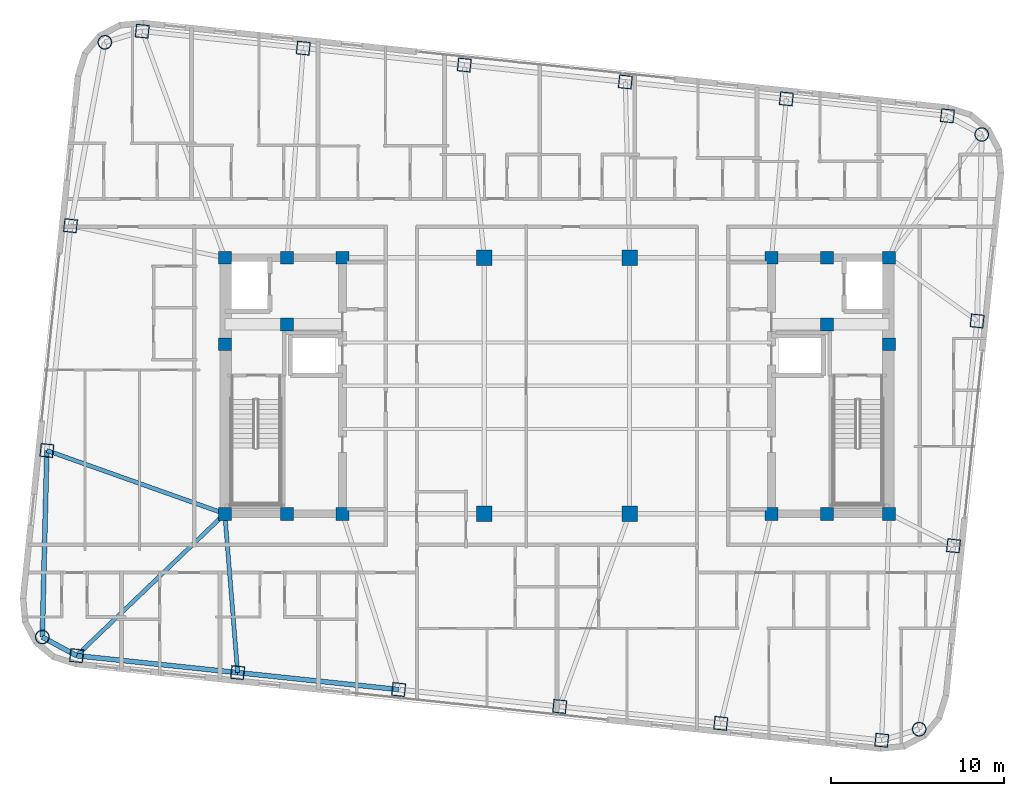
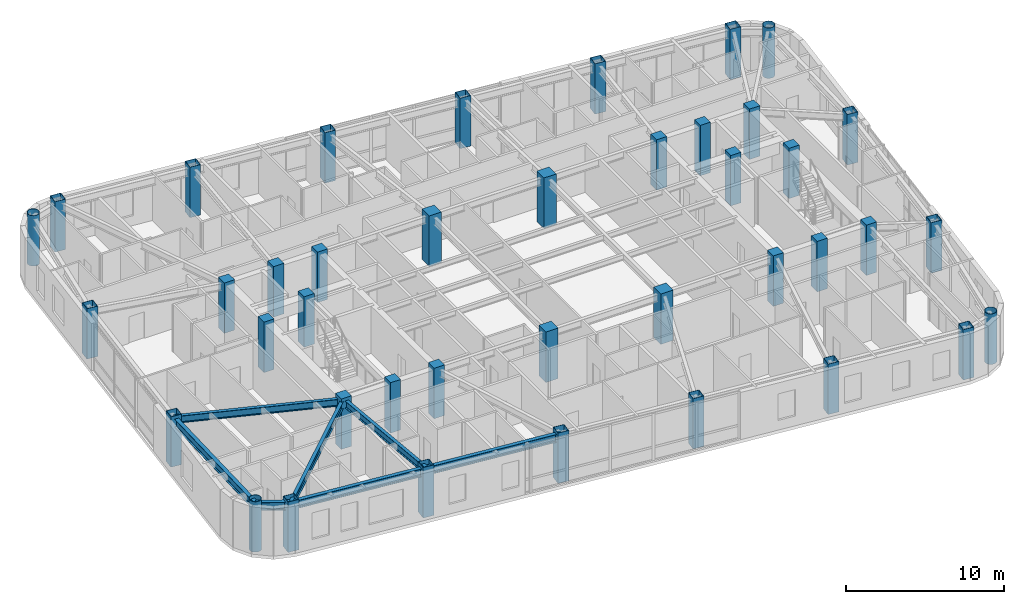
# One storey, part 1 of 23: 40 columns, 7 beams.
"""IFC4 building model written with IfcOpenShell, lengths in metres."""

from ifc_helpers import new_model, si_unit, direction, frame, origin, origin_2d, place, context, subcontext, project, spatial, rectangle, hollow_rectangle, hollow_circle, i_section, extrude, material, material_profile, profile_set, type_object, element, save


model = new_model("IFC4")

# Units and contexts
model_context = context("Model", 3, precision=1e-05, world=origin(), true_north=direction((0.0, 1.0)))
body_context = subcontext(model_context, "Body", "Model", "MODEL_VIEW")
ifc_project = project(units=[si_unit("LENGTHUNIT", "METRE"), si_unit("AREAUNIT", "SQUARE_METRE"), si_unit("VOLUMEUNIT", "CUBIC_METRE"), si_unit("PLANEANGLEUNIT", "RADIAN"), si_unit("MASSUNIT", "GRAM", prefix="KILO")], contexts=[model_context])

# Site, building, storey
site_placement = place(None, origin())
site = spatial("IfcSite", under=ifc_project, at=site_placement, CompositionType="ELEMENT")
building_placement = place(site_placement, origin())
building = spatial("IfcBuilding", under=site, at=building_placement, Name="Voryun Gate Residences", CompositionType="ELEMENT")
storey_placement = place(building_placement, frame((0.0, 0.0, 275.60009765625)))
storey = spatial("IfcBuildingStorey", under=building, at=storey_placement, Name="L68", CompositionType="ELEMENT", Elevation=275.60009765625)

# Columns
ifc_material_1 = material(Name="Concrete C50/60", Category="concrete")
ifc_material_profile_1 = material_profile(ifc_material_1, rectangle(XDim=0.75, YDim=0.75, at=origin_2d()), Name="RC-750x750")
ifc_profile_set_1 = profile_set([ifc_material_profile_1], Name="Concrete C50/60")
column_type_1 = type_object("IfcColumnType", Name="COL_CORE_750", PredefinedType="COLUMN", material=ifc_profile_set_1)
for number, where, z_axis, x_axis, name in (
    (1, (-19.199951171875, -7.39990234375, 0.0), (0.0, 0.0, 1.0), (1.0, 0.0, 0.0), "L68 Core boundary column WC-SW"),
    (2, (-19.199951171875, 2.39990234375, 0.0), (0.0, 0.0, 1.0), (1.0, 0.0, 0.0), "L68 Core boundary column WC-MW"),
    (3, (-19.199951171875, 7.39990234375, 0.0), (0.0, 0.0, 1.0), (1.0, 0.0, 0.0), "L68 Core boundary column WC-NW"),
    (4, (-15.60009765625, -7.39990234375, 0.0), (0.0, 0.0, 1.0), (1.0, 0.0, 0.0), "L68 Core boundary column WC-SM"),
    (5, (-15.60009765625, 7.39990234375, 0.0), (0.0, 0.0, 1.0), (1.0, 0.0, 0.0), "L68 Core boundary column WC-NM"),
    (6, (-12.39990234375, -7.39990234375, 0.0), (0.0, 0.0, 1.0), (1.0, 0.0, 0.0), "L68 Core boundary column WC-SE"),
    (7, (-15.60009765625, 3.550048828125, 0.0), (0.0, 0.0, 1.0), (1.0, 0.0, 0.0), "L68 Core boundary column WC-MM"),
    (8, (-12.39990234375, 7.39990234375, 0.0), (0.0, 0.0, 1.0), (1.0, 0.0, 0.0), "L68 Core boundary column WC-NE"),
    (9, (12.39990234375, -7.39990234375, 0.0), (0.0, 0.0, 1.0), (1.0, 0.0, 0.0), "L68 Core boundary column EC-SW"),
    (10, (15.60009765625, 3.550048828125, 0.0), (0.0, 0.0, 1.0), (1.0, 0.0, 0.0), "L68 Core boundary column EC-MM"),
    (11, (12.39990234375, 7.39990234375, 0.0), (0.0, 0.0, 1.0), (1.0, 0.0, 0.0), "L68 Core boundary column EC-NW"),
    (12, (15.60009765625, -7.39990234375, 0.0), (0.0, 0.0, 1.0), (1.0, 0.0, 0.0), "L68 Core boundary column EC-SM"),
    (13, (15.60009765625, 7.39990234375, 0.0), (0.0, 0.0, 1.0), (1.0, 0.0, 0.0), "L68 Core boundary column EC-NM"),
    (14, (19.199951171875, -7.39990234375, 0.0), (0.0, 0.0, 1.0), (1.0, 0.0, 0.0), "L68 Core boundary column EC-SE"),
    (15, (19.199951171875, 2.39990234375, 0.0), (0.0, 0.0, 1.0), (1.0, 0.0, 0.0), "L68 Core boundary column EC-ME"),
    (16, (19.199951171875, 7.39990234375, 0.0), (0.0, 0.0, 1.0), (1.0, 0.0, 0.0), "L68 Core boundary column EC-NE"),
):
    element("IfcColumn", number, at=place(storey_placement, frame(where, z_axis=z_axis, x_axis=x_axis)), inside=storey, type_object=column_type_1, Name=name, PredefinedType="COLUMN", context=body_context, shape_type="SweptSolid", body=[
        extrude(rectangle(XDim=0.75, YDim=0.75, at=origin_2d()), origin(), (0.0, 0.0, 1.0), 3.89990234375),
    ])
ifc_material_2 = material(Name="Concrete C50/60", Category="concrete")
ifc_material_profile_2 = material_profile(ifc_material_2, rectangle(XDim=0.89990234375, YDim=0.89990234375, at=origin_2d()), Name="RC-900x900")
ifc_profile_set_2 = profile_set([ifc_material_profile_2], Name="Concrete C50/60")
column_type_2 = type_object("IfcColumnType", Name="COL_CORE_900", PredefinedType="COLUMN", material=ifc_profile_set_2)
for number, where, z_axis, x_axis, name in (
    (17, (-4.199951171875, -7.39990234375, 0.0), (0.0, 0.0, 1.0), (1.0, 0.0, 0.0), "L68 Interior spine column SP-WS"),
    (18, (-4.199951171875, 7.39990234375, 0.0), (0.0, 0.0, 1.0), (1.0, 0.0, 0.0), "L68 Interior spine column SP-WN"),
    (19, (4.199951171875, -7.39990234375, 0.0), (0.0, 0.0, 1.0), (1.0, 0.0, 0.0), "L68 Interior spine column SP-ES"),
    (20, (4.199951171875, 7.39990234375, 0.0), (0.0, 0.0, 1.0), (1.0, 0.0, 0.0), "L68 Interior spine column SP-EN"),
):
    element("IfcColumn", number, at=place(storey_placement, frame(where, z_axis=z_axis, x_axis=x_axis)), inside=storey, type_object=column_type_2, Name=name, PredefinedType="COLUMN", context=body_context, shape_type="SweptSolid", body=[
        extrude(rectangle(XDim=0.89990234375, YDim=0.89990234375, at=origin_2d()), origin(), (0.0, 0.0, 1.0), 3.89990234375),
    ])
ifc_material_3 = material(Name="Steel SM355", Category="steel")
ifc_material_profile_3 = material_profile(ifc_material_3, hollow_circle(Radius=0.39990234375, WallThickness=0.028076171875, at=origin_2d()), Name="CHS-800x28")
ifc_profile_set_3 = profile_set([ifc_material_profile_3], Name="Steel SM355")
column_type_3 = type_object("IfcColumnType", Name="COL_CRN_800", PredefinedType="COLUMN", material=ifc_profile_set_3)
for number, where, z_axis, x_axis, name in (
    (21, (20.939453125, -19.855224609375, 0.0), (0.0, 0.0, 1.0), (0.994521895368, -0.104528463268, 0.0), "L68 Exoskeleton column CSE"),
    (22, (24.55322265625, 14.52734375, 0.0), (0.0, 0.0, 1.0), (0.994521895368, -0.104528463268, 0.0), "L68 Exoskeleton column CNE"),
    (23, (-26.139404296875, 19.855224609375, 0.0), (0.0, 0.0, 1.0), (0.994521895368, -0.104528463268, 0.0), "L68 Exoskeleton column CNW"),
    (24, (-29.753173828125, -14.52734375, 0.0), (0.0, 0.0, 1.0), (0.994521895368, -0.104528463268, 0.0), "L68 Exoskeleton column CSW"),
):
    element("IfcColumn", number, at=place(storey_placement, frame(where, z_axis=z_axis, x_axis=x_axis)), inside=storey, type_object=column_type_3, Name=name, PredefinedType="COLUMN", context=body_context, shape_type="SweptSolid", body=[
        extrude(hollow_circle(Radius=0.39990234375, WallThickness=0.028076171875, at=origin_2d()), origin(), (0.0, 0.0, 1.0), 3.89990234375),
    ])
ifc_material_4 = material(Name="Steel SM355", Category="steel")
ifc_material_profile_4 = material_profile(ifc_material_4, hollow_rectangle(XDim=0.75, YDim=0.75, WallThickness=0.02490234375, at=origin_2d()), Name="BOX-750x750x25")
ifc_profile_set_4 = profile_set([ifc_material_profile_4], Name="Steel SM355")
column_type_4 = type_object("IfcColumnType", Name="COL_EXO_B5", PredefinedType="COLUMN", material=ifc_profile_set_4)
for number, where, z_axis, x_axis, name in (
    (25, (-27.76904296875, -15.6044921875, 0.0), (0.0, 0.0, 1.0), (0.994521895368, -0.104528463268, 0.0), "L68 Exoskeleton column S1"),
    (26, (-18.460205078125, -16.5830078125, 0.0), (0.0, 0.0, 1.0), (0.994521895368, -0.104528463268, 0.0), "L68 Exoskeleton column S2"),
    (27, (-9.151611328125, -17.561279296875, 0.0), (0.0, 0.0, 1.0), (0.994521895368, -0.104528463268, 0.0), "L68 Exoskeleton column S3"),
    (28, (0.1572265625, -18.539794921875, 0.0), (0.0, 0.0, 1.0), (0.994521895368, -0.104528463268, 0.0), "L68 Exoskeleton column S4"),
    (29, (9.4658203125, -19.51806640625, 0.0), (0.0, 0.0, 1.0), (0.994521895368, -0.104528463268, 0.0), "L68 Exoskeleton column S5"),
    (30, (18.774658203125, -20.49658203125, 0.0), (0.0, 0.0, 1.0), (0.994521895368, -0.104528463268, 0.0), "L68 Exoskeleton column S6"),
    (31, (22.922607421875, -9.25244140625, 0.0), (0.0, 0.0, 1.0), (0.994521895368, -0.104528463268, 0.0), "L68 Exoskeleton column E1"),
    (32, (24.28857421875, 3.743896484375, 0.0), (0.0, 0.0, 1.0), (0.994521895368, -0.104528463268, 0.0), "L68 Exoskeleton column E2"),
    (33, (22.569091796875, 15.6044921875, 0.0), (0.0, 0.0, 1.0), (0.994521895368, -0.104528463268, 0.0), "L68 Exoskeleton column N1"),
    (34, (13.26025390625, 16.5830078125, 0.0), (0.0, 0.0, 1.0), (0.994521895368, -0.104528463268, 0.0), "L68 Exoskeleton column N2"),
    (35, (3.95166015625, 17.561279296875, 0.0), (0.0, 0.0, 1.0), (0.994521895368, -0.104528463268, 0.0), "L68 Exoskeleton column N3"),
    (36, (-5.357177734375, 18.539794921875, 0.0), (0.0, 0.0, 1.0), (0.994521895368, -0.104528463268, 0.0), "L68 Exoskeleton column N4"),
    (37, (-14.666015625, 19.51806640625, 0.0), (0.0, 0.0, 1.0), (0.994521895368, -0.104528463268, 0.0), "L68 Exoskeleton column N5"),
    (38, (-23.974609375, 20.49658203125, 0.0), (0.0, 0.0, 1.0), (0.994521895368, -0.104528463268, 0.0), "L68 Exoskeleton column N6"),
    (39, (-28.12255859375, 9.25244140625, 0.0), (0.0, 0.0, 1.0), (0.994521895368, -0.104528463268, 0.0), "L68 Exoskeleton column W1"),
    (40, (-29.488525390625, -3.743896484375, 0.0), (0.0, 0.0, 1.0), (0.994521895368, -0.104528463268, 0.0), "L68 Exoskeleton column W2"),
):
    element("IfcColumn", number, at=place(storey_placement, frame(where, z_axis=z_axis, x_axis=x_axis)), inside=storey, type_object=column_type_4, Name=name, PredefinedType="COLUMN", context=body_context, shape_type="SweptSolid", body=[
        extrude(hollow_rectangle(XDim=0.75, YDim=0.75, WallThickness=0.02490234375, at=origin_2d()), origin(), (0.0, 0.0, 1.0), 3.89990234375),
    ])

# Beams
ifc_material_5 = material(Name="Steel SM355", Category="steel")
ifc_material_profile_5 = material_profile(ifc_material_5, i_section(OverallWidth=0.280029296875, OverallDepth=0.6201171875, WebThickness=0.013916015625, FlangeThickness=0.02197265625, FilletRadius=0.01806640625, at=origin_2d()), Name="H-620x280x14x22")
ifc_profile_set_5 = profile_set([ifc_material_profile_5], Name="Steel SM355")
beam_type_1 = type_object("IfcBeamType", Name="BM_EXO_SPANDREL_H", PredefinedType="SPANDREL", material=ifc_profile_set_5)
beam_1_placement = place(storey_placement, frame((-27.76904296875, -15.6044921875, 3.33984375), z_axis=(0.994520592114, -0.104540862157, 0.0), x_axis=(0.104540862157, 0.994520592114, 0.0)))
element("IfcBeam", 41, at=beam_1_placement, inside=storey, type_object=beam_type_1, Name="BM-L68-SPAND-01", PredefinedType="SPANDREL", context=body_context, shape_type="SweptSolid", body=[
    extrude(i_section(OverallWidth=0.280029296875, OverallDepth=0.6201171875, WebThickness=0.013916015625, FlangeThickness=0.02197265625, FilletRadius=0.01806640625, at=origin_2d()), origin(), (0.0, 0.0, 1.0), 9.360107421875),
])
beam_2_placement = place(storey_placement, frame((-18.460205078125, -16.5830078125, 3.33984375), z_axis=(0.994523018663, -0.104517775278, 0.0), x_axis=(0.104517775278, 0.994523018663, 0.0)))
element("IfcBeam", 42, at=beam_2_placement, inside=storey, type_object=beam_type_1, Name="BM-L68-SPAND-02", PredefinedType="SPANDREL", context=body_context, shape_type="SweptSolid", body=[
    extrude(i_section(OverallWidth=0.280029296875, OverallDepth=0.6201171875, WebThickness=0.013916015625, FlangeThickness=0.02197265625, FilletRadius=0.01806640625, at=origin_2d()), origin(), (0.0, 0.0, 1.0), 9.35986328125),
])
beam_3_placement = place(storey_placement, frame((-29.488525390625, -3.743896484375, 3.33984375), z_axis=(-0.024534711967, -0.999698978647, 0.0), x_axis=(0.999698978647, -0.024534711967, 0.0)))
element("IfcBeam", 43, at=beam_3_placement, inside=storey, type_object=beam_type_1, Name="BM-L68-SPAND-19", PredefinedType="SPANDREL", context=body_context, shape_type="SweptSolid", body=[
    extrude(i_section(OverallWidth=0.280029296875, OverallDepth=0.6201171875, WebThickness=0.013916015625, FlangeThickness=0.02197265625, FilletRadius=0.01806640625, at=origin_2d()), origin(), (0.0, 0.0, 1.0), 10.78662109375),
])
beam_4_placement = place(storey_placement, frame((-29.753173828125, -14.52734375, 3.33984375), z_axis=(0.878844363117, -0.477108567746, 0.0), x_axis=(0.477108567746, 0.878844363117, 0.0)))
element("IfcBeam", 44, at=beam_4_placement, inside=storey, type_object=beam_type_1, Name="BM-L68-SPAND-20", PredefinedType="SPANDREL", context=body_context, shape_type="SweptSolid", body=[
    extrude(i_section(OverallWidth=0.280029296875, OverallDepth=0.6201171875, WebThickness=0.013916015625, FlangeThickness=0.02197265625, FilletRadius=0.01806640625, at=origin_2d()), origin(), (0.0, 0.0, 1.0), 2.257568359375),
])
ifc_material_6 = material(Name="Steel SM355", Category="steel")
ifc_material_profile_6 = material_profile(ifc_material_6, i_section(OverallWidth=0.239990234375, OverallDepth=0.550048828125, WebThickness=0.011962890625, FlangeThickness=0.02001953125, FilletRadius=0.01806640625, at=origin_2d()), Name="H-550x240x12x20")
ifc_profile_set_6 = profile_set([ifc_material_profile_6], Name="Steel SM355")
beam_type_2 = type_object("IfcBeamType", Name="BM_GIRD_550", PredefinedType="USERDEFINED", material=ifc_profile_set_6)
beam_5_placement = place(storey_placement, frame((-19.199951171875, -7.39990234375, 3.375), z_axis=(-0.722302104769, -0.691577666966, 0.0), x_axis=(0.691577666966, -0.722302104769, 0.0)))
element("IfcBeam", 45, at=beam_5_placement, inside=storey, type_object=beam_type_2, Name="BM-L68-RAD-S1", ObjectType="GIRDER", PredefinedType="USERDEFINED", context=body_context, shape_type="SweptSolid", body=[
    extrude(i_section(OverallWidth=0.239990234375, OverallDepth=0.550048828125, WebThickness=0.011962890625, FlangeThickness=0.02001953125, FilletRadius=0.01806640625, at=origin_2d()), origin(), (0.0, 0.0, 1.0), 11.863525390625),
])
beam_6_placement = place(storey_placement, frame((-19.199951171875, -7.39990234375, 3.375), z_axis=(0.080295011504, -0.996771142804, 0.0), x_axis=(0.996771142804, 0.080295011504, 0.0)))
element("IfcBeam", 46, at=beam_6_placement, inside=storey, type_object=beam_type_2, Name="BM-L68-RAD-S2", ObjectType="GIRDER", PredefinedType="USERDEFINED", context=body_context, shape_type="SweptSolid", body=[
    extrude(i_section(OverallWidth=0.239990234375, OverallDepth=0.550048828125, WebThickness=0.011962890625, FlangeThickness=0.02001953125, FilletRadius=0.01806640625, at=origin_2d()), origin(), (0.0, 0.0, 1.0), 9.212890625),
])
beam_7_placement = place(storey_placement, frame((-19.199951171875, -7.39990234375, 3.375), z_axis=(-0.942276939669, 0.334834539688, 0.0), x_axis=(-0.334834539688, -0.942276939669, 0.0)))
element("IfcBeam", 47, at=beam_7_placement, inside=storey, type_object=beam_type_2, Name="BM-L68-RAD-W2", ObjectType="GIRDER", PredefinedType="USERDEFINED", context=body_context, shape_type="SweptSolid", body=[
    extrude(i_section(OverallWidth=0.239990234375, OverallDepth=0.550048828125, WebThickness=0.011962890625, FlangeThickness=0.02001953125, FilletRadius=0.01806640625, at=origin_2d()), origin(), (0.0, 0.0, 1.0), 10.9189453125),
])

save(model, "model.ifc")
